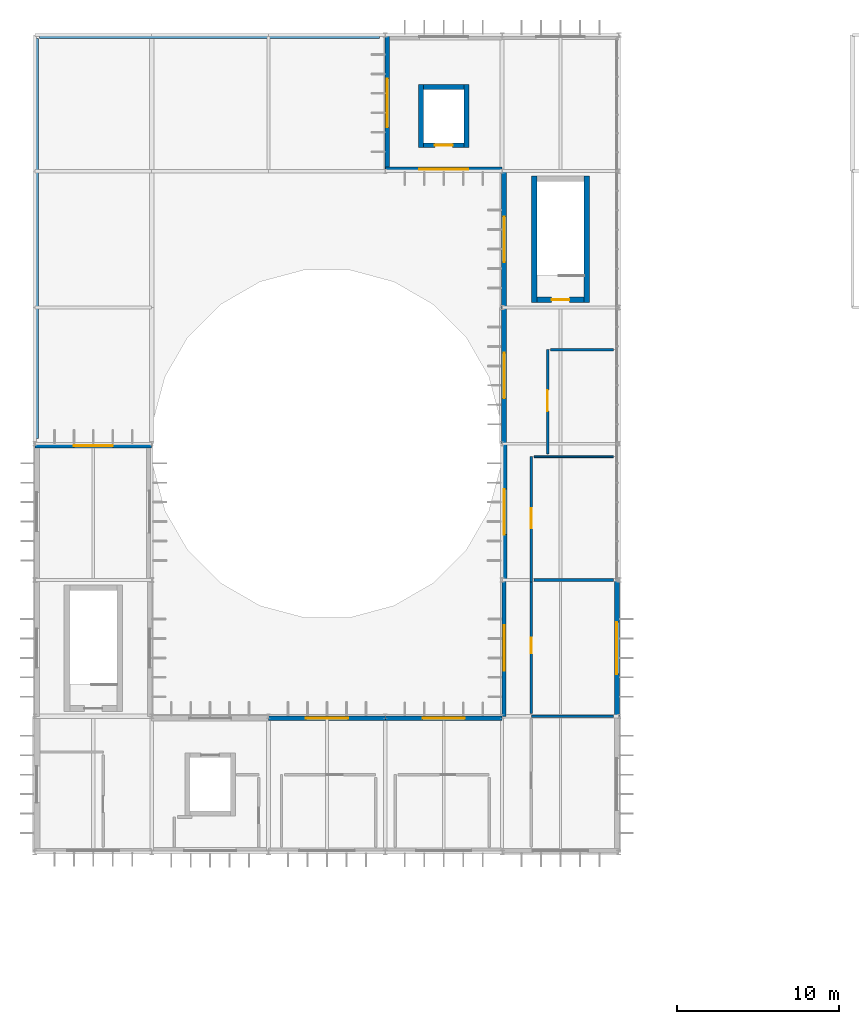
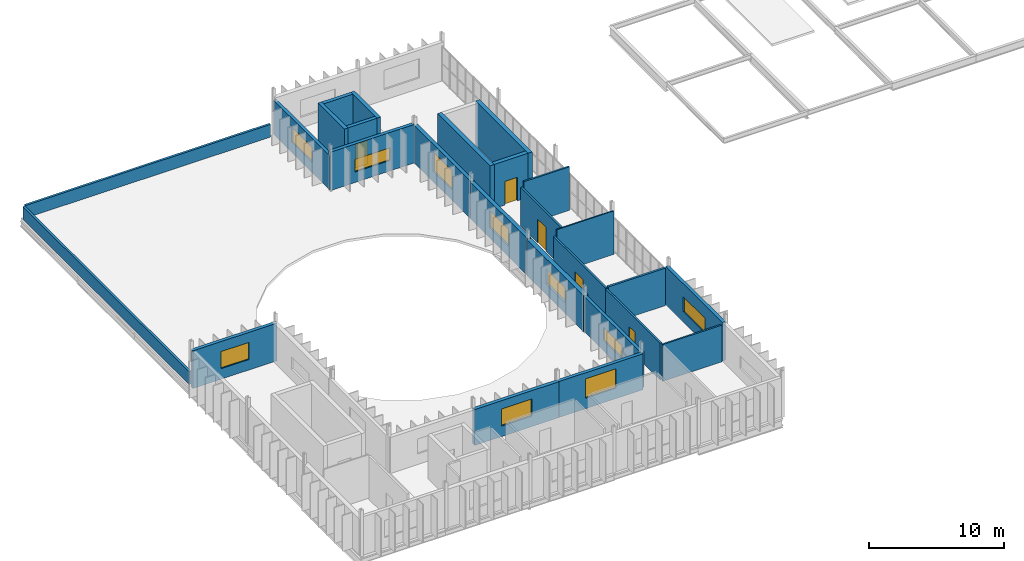
# One storey, part 16 of 18: 26 walls, 10 windows, 5 doors, 15 openings.
"""IFC4 building model written with IfcOpenShell, lengths in metres."""

from ifc_helpers import new_model, si_unit, direction, frame, frame_2d, origin, place, context, subcontext, project, spatial, rectangle, extrude, material, layer, layer_set, type_object, element, fill, save


model = new_model("IFC4")

# Units and contexts
model_context = context("Model", 3, precision=1e-05, world=origin(), true_north=direction((0.0, 1.0)))
body_context = subcontext(model_context, "Body", "Model", "MODEL_VIEW")
ifc_project = project(units=[si_unit("LENGTHUNIT", "METRE"), si_unit("AREAUNIT", "SQUARE_METRE"), si_unit("VOLUMEUNIT", "CUBIC_METRE"), si_unit("PLANEANGLEUNIT", "RADIAN"), si_unit("MASSUNIT", "GRAM", prefix="KILO")], contexts=[model_context])

# Site, building, storey
site_placement = place(None, origin())
site = spatial("IfcSite", under=ifc_project, at=site_placement, CompositionType="ELEMENT")
building_placement = place(site_placement, origin())
building = spatial("IfcBuilding", under=site, at=building_placement, Name="Qelthora Terrace Specialist Clinic", CompositionType="ELEMENT")
storey_placement = place(building_placement, frame((0.0, 0.0, 21.60009765625)))
storey = spatial("IfcBuildingStorey", under=building, at=storey_placement, Name="L05", CompositionType="ELEMENT", Elevation=21.60009765625)

# Walls
ifc_material_1 = material(Name="Concrete C40/50", Category="concrete")
ifc_layer_1 = layer(ifc_material_1, 0.300048828125)
ifc_layer_set_1 = layer_set([ifc_layer_1], Name="Concrete C40/50")
wall_type_1 = type_object("IfcWallType", Name="WAL-CORE-300-C40", PredefinedType="SHEAR", material=ifc_layer_set_1)
for number, where, z_axis, x_axis, name in (
    (1, (31.0, 102.25, 0.0), (0.0, 0.0, 1.0), (0.0, 1.0, 0.0), "Lift SL-02 L05 west shaft wall"),
    (2, (33.800048828125, 102.25, 0.0), (0.0, 0.0, 1.0), (0.0, 1.0, 0.0), "Lift SL-02 L05 east shaft wall"),
):
    element("IfcWall", number, at=place(storey_placement, frame(where, z_axis=z_axis, x_axis=x_axis)), inside=storey, type_object=wall_type_1, Name=name, PredefinedType="SHEAR", context=body_context, shape_type="SweptSolid", body=[
        extrude(rectangle(XDim=3.89990234375, YDim=0.300048828125, at=frame_2d((1.949951171875, 0.0))), origin(), (0.0, 0.0, 1.0), 3.96484375),
    ])
wall_1_placement = place(storey_placement, frame((31.14990234375, 106.0, 0.0), z_axis=(0.0, 0.0, 1.0), x_axis=(1.0, 0.0, 0.0)))
element("IfcWall", 3, at=wall_1_placement, inside=storey, type_object=wall_type_1, Name="Lift SL-02 L05 north shaft wall", PredefinedType="SHEAR", context=body_context, shape_type="SweptSolid", body=[
    extrude(rectangle(XDim=2.5, YDim=0.300048828125, at=frame_2d((1.25, 0.0))), origin(), (0.0, 0.0, 1.0), 3.96484375),
])

# Wall, opening, door
wall_2_placement = place(storey_placement, frame((31.14990234375, 102.39990234375, 0.0), z_axis=(0.0, 0.0, 1.0), x_axis=(1.0, 0.0, 0.0)))
wall_2 = element("IfcWall", 4, at=wall_2_placement, inside=storey, type_object=wall_type_1, Name="Lift SL-02 L05 south shaft wall", PredefinedType="SHEAR", context=body_context, shape_type="SweptSolid", body=[
    extrude(rectangle(XDim=2.5, YDim=0.300048828125, at=frame_2d((1.25, 0.0))), origin(), (0.0, 0.0, 1.0), 3.96484375),
])
opening_1_placement = place(wall_2_placement, frame((0.699951171875, 0.0, 0.0)))
opening_1 = element("IfcOpeningElement", 5, at=opening_1_placement, cuts=wall_2, Name="Opening LD-SL-02-L05", PredefinedType="OPENING", context=body_context, shape_type="SweptSolid", body=[
    extrude(rectangle(XDim=1.10009765625, YDim=2.14990234375, at=frame_2d((0.550048828125, 1.074951171875))), frame((0.0, 0.159912109375, 0.0), z_axis=(0.0, -1.0, 0.0), x_axis=(1.0, 0.0, 0.0)), (0.0, 0.0, 1.0), 0.320068359375),
])
ifc_material_2 = material(Name="Steel S355", Category="steel")
door_type_1 = type_object("IfcDoorType", Name="DOR-LIFT-1100X2150", OperationType="NOTDEFINED", PredefinedType="DOOR", material=ifc_material_2)
door_1_placement = place(opening_1_placement, origin())
door_1 = element("IfcDoor", 6, at=door_1_placement, inside=storey, type_object=door_type_1, Name="Lift landing sliding door LD-SL-02-L05", OperationType="DOUBLE_DOOR_SLIDING", OverallHeight=2.14990234375, OverallWidth=1.10009765625, PredefinedType="DOOR", context=body_context, shape_type="SweptSolid", body=[
    extrude(rectangle(XDim=1.10009765625, YDim=2.14990234375, at=frame_2d((0.550048828125, 1.074951171875))), frame((0.0, 0.02490234375, 0.0), z_axis=(0.0, -1.0, 0.0), x_axis=(1.0, 0.0, 0.0)), (0.0, 0.0, 1.0), 0.050048828125),
])
fill(opening_1, door_1)

# Walls
ifc_layer_2 = layer(ifc_material_1, 0.35009765625)
ifc_layer_set_2 = layer_set([ifc_layer_2], Name="Concrete C40/50")
wall_type_2 = type_object("IfcWallType", Name="WAL-CORE-350-C40", PredefinedType="SHEAR", material=ifc_layer_set_2)
for number, where, z_axis, x_axis, name in (
    (7, (37.97509765625, 92.699951171875, 0.0), (0.0, 0.0, 1.0), (0.0, 1.0, 0.0), "ST-02 L05 west shear core wall"),
    (8, (41.22509765625, 92.699951171875, 0.0), (0.0, 0.0, 1.0), (0.0, 1.0, 0.0), "ST-02 L05 east shear core wall"),
):
    element("IfcWall", number, at=place(storey_placement, frame(where, z_axis=z_axis, x_axis=x_axis)), inside=storey, type_object=wall_type_2, Name=name, PredefinedType="SHEAR", context=body_context, shape_type="SweptSolid", body=[
        extrude(rectangle(XDim=7.800048828125, YDim=0.35009765625, at=frame_2d((3.89990234375, 0.0))), origin(), (0.0, 0.0, 1.0), 4.0),
    ])

# Wall, opening, door
wall_3_placement = place(storey_placement, frame((38.14990234375, 92.875, 0.0), z_axis=(0.0, 0.0, 1.0), x_axis=(1.0, 0.0, 0.0)))
wall_3 = element("IfcWall", 9, at=wall_3_placement, inside=storey, type_object=wall_type_2, Name="ST-02 L05 south shear core wall", PredefinedType="SHEAR", context=body_context, shape_type="SweptSolid", body=[
    extrude(rectangle(XDim=2.900146484375, YDim=0.35009765625, at=frame_2d((1.4501953125, 0.0))), origin(), (0.0, 0.0, 1.0), 4.0),
])
opening_2_placement = place(wall_3_placement, frame((0.89990234375, 0.0, 0.0)))
opening_2 = element("IfcOpeningElement", 10, at=opening_2_placement, cuts=wall_3, Name="Opening D-ST-02-L05", PredefinedType="OPENING", context=body_context, shape_type="SweptSolid", body=[
    extrude(rectangle(XDim=1.10009765625, YDim=2.14990234375, at=frame_2d((0.550048828125, 1.074951171875))), frame((0.0, 0.18505859375, 0.0), z_axis=(0.0, -1.0, 0.0), x_axis=(1.0, 0.0, 0.0)), (0.0, 0.0, 1.0), 0.3701171875),
])
door_type_2 = type_object("IfcDoorType", Name="DOR-STAIR-1100X2150", OperationType="NOTDEFINED", PredefinedType="DOOR", material=ifc_material_2)
door_2_placement = place(opening_2_placement, origin())
door_2 = element("IfcDoor", 11, at=door_2_placement, inside=storey, type_object=door_type_2, Name="Stair fire door D-ST-02-L05", OperationType="SINGLE_SWING_LEFT", OverallHeight=2.14990234375, OverallWidth=1.10009765625, PredefinedType="DOOR", context=body_context, shape_type="SweptSolid", body=[
    extrude(rectangle(XDim=1.10009765625, YDim=2.14990234375, at=frame_2d((0.550048828125, 1.074951171875))), frame((0.0, 0.02490234375, 0.0), z_axis=(0.0, -1.0, 0.0), x_axis=(1.0, 0.0, 0.0)), (0.0, 0.0, 1.0), 0.050048828125),
])
fill(opening_2, door_2)

# Wall, opening, window
ifc_material_3 = material(Name="Precast concrete C40/50", Category="concrete")
ifc_layer_3 = layer(ifc_material_3, 0.260009765625)
ifc_layer_set_3 = layer_set([ifc_layer_3], Name="Precast concrete C40/50")
wall_type_3 = type_object("IfcWallType", Name="WAL-EXT-260-PC40", PredefinedType="SOLIDWALL", material=ifc_layer_set_3)
wall_4_placement = place(storey_placement, frame((36.1201171875, 67.199951171875, 0.0), z_axis=(0.0, 0.0, 1.0), x_axis=(0.0, 1.0, 0.0)))
wall_4 = element("IfcWall", 12, at=wall_4_placement, inside=storey, type_object=wall_type_3, Name="L05 external precast wall 409", PredefinedType="SOLIDWALL", context=body_context, shape_type="SweptSolid", body=[
    extrude(rectangle(XDim=8.400146484375, YDim=0.260009765625, at=frame_2d((4.2001953125, 0.0))), origin(), (0.0, 0.0, 1.0), 3.171875),
])
opening_3_placement = place(wall_4_placement, frame((2.800048828125, 0.0, 0.949951171875)))
opening_3 = element("IfcOpeningElement", 13, at=opening_3_placement, cuts=wall_4, Name="Opening WN-L05-365", PredefinedType="OPENING", context=body_context, shape_type="SweptSolid", body=[
    extrude(rectangle(XDim=2.800048828125, YDim=1.14990234375, at=frame_2d((1.39990234375, 0.574951171875))), frame((0.0, 0.139892578125, 0.0), z_axis=(0.0, -1.0, 0.0), x_axis=(1.0, 0.0, 0.0)), (0.0, 0.0, 1.0), 0.280029296875),
])
ifc_material_4 = material(Name="Low-E triple-silver insulating glass", Category="glass")
window_type_1 = type_object("IfcWindowType", Name="WIN-2800X1150", PartitioningType="DOUBLE_PANEL_VERTICAL", PredefinedType="WINDOW", material=ifc_material_4)
window_1_placement = place(opening_3_placement, origin())
window_1 = element("IfcWindow", 14, at=window_1_placement, inside=storey, type_object=window_type_1, Name="Clinical window WN-L05-365", OverallHeight=1.14990234375, OverallWidth=2.800048828125, PartitioningType="SINGLE_PANEL", PredefinedType="WINDOW", context=body_context, shape_type="SweptSolid", body=[
    extrude(rectangle(XDim=2.800048828125, YDim=1.14990234375, at=frame_2d((1.39990234375, 0.574951171875))), frame((0.0, 0.030029296875, 0.0), z_axis=(0.0, -1.0, 0.0), x_axis=(1.0, 0.0, 0.0)), (0.0, 0.0, 1.0), 0.06005859375),
])
fill(opening_3, window_1)

wall_5_placement = place(storey_placement, frame((28.919921875, 100.800048828125, 0.0), z_axis=(0.0, 0.0, 1.0), x_axis=(0.0, 1.0, 0.0)))
wall_5 = element("IfcWall", 15, at=wall_5_placement, inside=storey, type_object=wall_type_3, Name="L05 external precast wall 414", PredefinedType="SOLIDWALL", context=body_context, shape_type="SweptSolid", body=[
    extrude(rectangle(XDim=8.39990234375, YDim=0.260009765625, at=frame_2d((4.199951171875, 0.0))), origin(), (0.0, 0.0, 1.0), 3.0908203125),
])
opening_4_placement = place(wall_5_placement, frame((2.699951171875, 0.0, 0.949951171875)))
opening_4 = element("IfcOpeningElement", 16, at=opening_4_placement, cuts=wall_5, Name="Opening WN-L05-370", PredefinedType="OPENING", context=body_context, shape_type="SweptSolid", body=[
    extrude(rectangle(XDim=3.0, YDim=1.35009765625, at=frame_2d((1.5, 0.675048828125))), frame((0.0, 0.139892578125, 0.0), z_axis=(0.0, -1.0, 0.0), x_axis=(1.0, 0.0, 0.0)), (0.0, 0.0, 1.0), 0.280029296875),
])
window_type_2 = type_object("IfcWindowType", Name="WIN-3000X1350", PartitioningType="DOUBLE_PANEL_VERTICAL", PredefinedType="WINDOW", material=ifc_material_4)
window_2_placement = place(opening_4_placement, origin())
window_2 = element("IfcWindow", 17, at=window_2_placement, inside=storey, type_object=window_type_2, Name="Clinical window WN-L05-370", OverallHeight=1.35009765625, OverallWidth=3.0, PartitioningType="SINGLE_PANEL", PredefinedType="WINDOW", context=body_context, shape_type="SweptSolid", body=[
    extrude(rectangle(XDim=3.0, YDim=1.35009765625, at=frame_2d((1.5, 0.675048828125))), frame((0.0, 0.030029296875, 0.0), z_axis=(0.0, -1.0, 0.0), x_axis=(1.0, 0.0, 0.0)), (0.0, 0.0, 1.0), 0.06005859375),
])
fill(opening_4, window_2)

ifc_layer_4 = layer(ifc_material_3, 0.280029296875)
ifc_layer_set_4 = layer_set([ifc_layer_4], Name="Precast concrete C40/50")
wall_type_4 = type_object("IfcWallType", Name="WAL-EXT-280-PC40", PredefinedType="SOLIDWALL", material=ifc_layer_set_4)
wall_6_placement = place(storey_placement, frame((7.199951171875, 83.8798828125, 0.0), z_axis=(0.0, 0.0, 1.0), x_axis=(1.0, 0.0, 0.0)))
wall_6 = element("IfcWall", 18, at=wall_6_placement, inside=storey, type_object=wall_type_4, Name="L05 external precast wall 403", PredefinedType="SOLIDWALL", context=body_context, shape_type="SweptSolid", body=[
    extrude(rectangle(XDim=7.199951171875, YDim=0.280029296875, at=frame_2d((3.60009765625, 0.0))), origin(), (0.0, 0.0, 1.0), 3.40478515625),
])
opening_5_placement = place(wall_6_placement, frame((2.39990234375, 0.0, 0.949951171875)))
opening_5 = element("IfcOpeningElement", 19, at=opening_5_placement, cuts=wall_6, Name="Opening WN-L05-359", PredefinedType="OPENING", context=body_context, shape_type="SweptSolid", body=[
    extrude(rectangle(XDim=2.39990234375, YDim=1.550048828125, at=frame_2d((1.199951171875, 0.77490234375))), frame((0.0, 0.14990234375, 0.0), z_axis=(0.0, -1.0, 0.0), x_axis=(1.0, 0.0, 0.0)), (0.0, 0.0, 1.0), 0.300048828125),
])
window_type_3 = type_object("IfcWindowType", Name="WIN-2400X1550", PartitioningType="DOUBLE_PANEL_VERTICAL", PredefinedType="WINDOW", material=ifc_material_4)
window_3_placement = place(opening_5_placement, origin())
window_3 = element("IfcWindow", 20, at=window_3_placement, inside=storey, type_object=window_type_3, Name="Clinical window WN-L05-359", OverallHeight=1.550048828125, OverallWidth=2.39990234375, PartitioningType="SINGLE_PANEL", PredefinedType="WINDOW", context=body_context, shape_type="SweptSolid", body=[
    extrude(rectangle(XDim=2.39990234375, YDim=1.550048828125, at=frame_2d((1.199951171875, 0.77490234375))), frame((0.0, 0.030029296875, 0.0), z_axis=(0.0, -1.0, 0.0), x_axis=(1.0, 0.0, 0.0)), (0.0, 0.0, 1.0), 0.06005859375),
])
fill(opening_5, window_3)

wall_7_placement = place(storey_placement, frame((28.800048828125, 67.080078125, 0.0), z_axis=(0.0, 0.0, 1.0), x_axis=(1.0, 0.0, 0.0)))
wall_7 = element("IfcWall", 21, at=wall_7_placement, inside=storey, type_object=wall_type_4, Name="L05 external precast wall 408", PredefinedType="SOLIDWALL", context=body_context, shape_type="SweptSolid", body=[
    extrude(rectangle(XDim=7.199951171875, YDim=0.280029296875, at=frame_2d((3.60009765625, 0.0))), origin(), (0.0, 0.0, 1.0), 3.2490234375),
])
opening_6_placement = place(wall_7_placement, frame((2.300048828125, 0.0, 0.949951171875)))
opening_6 = element("IfcOpeningElement", 22, at=opening_6_placement, cuts=wall_7, Name="Opening WN-L05-364", PredefinedType="OPENING", context=body_context, shape_type="SweptSolid", body=[
    extrude(rectangle(XDim=2.60009765625, YDim=1.75, at=frame_2d((1.300048828125, 0.875))), frame((0.0, 0.14990234375, 0.0), z_axis=(0.0, -1.0, 0.0), x_axis=(1.0, 0.0, 0.0)), (0.0, 0.0, 1.0), 0.300048828125),
])
window_type_4 = type_object("IfcWindowType", Name="WIN-2600X1750", PartitioningType="DOUBLE_PANEL_VERTICAL", PredefinedType="WINDOW", material=ifc_material_4)
window_4_placement = place(opening_6_placement, origin())
window_4 = element("IfcWindow", 23, at=window_4_placement, inside=storey, type_object=window_type_4, Name="Clinical window WN-L05-364", OverallHeight=1.75, OverallWidth=2.60009765625, PartitioningType="SINGLE_PANEL", PredefinedType="WINDOW", context=body_context, shape_type="SweptSolid", body=[
    extrude(rectangle(XDim=2.60009765625, YDim=1.75, at=frame_2d((1.300048828125, 0.875))), frame((0.0, 0.030029296875, 0.0), z_axis=(0.0, -1.0, 0.0), x_axis=(1.0, 0.0, 0.0)), (0.0, 0.0, 1.0), 0.06005859375),
])
fill(opening_6, window_4)

wall_8_placement = place(storey_placement, frame((28.800048828125, 100.919921875, 0.0), z_axis=(0.0, 0.0, 1.0), x_axis=(1.0, 0.0, 0.0)))
wall_8 = element("IfcWall", 24, at=wall_8_placement, inside=storey, type_object=wall_type_4, Name="L05 external precast wall 413", PredefinedType="SOLIDWALL", context=body_context, shape_type="SweptSolid", body=[
    extrude(rectangle(XDim=7.199951171875, YDim=0.280029296875, at=frame_2d((3.60009765625, 0.0))), origin(), (0.0, 0.0, 1.0), 3.48193359375),
])
opening_7_placement = place(wall_8_placement, frame((2.10009765625, 0.0, 0.949951171875)))
opening_7 = element("IfcOpeningElement", 25, at=opening_7_placement, cuts=wall_8, Name="Opening WN-L05-369", PredefinedType="OPENING", context=body_context, shape_type="SweptSolid", body=[
    extrude(rectangle(XDim=3.0, YDim=1.14990234375, at=frame_2d((1.5, 0.574951171875))), frame((0.0, 0.14990234375, 0.0), z_axis=(0.0, -1.0, 0.0), x_axis=(1.0, 0.0, 0.0)), (0.0, 0.0, 1.0), 0.300048828125),
])
window_type_5 = type_object("IfcWindowType", Name="WIN-3000X1150", PartitioningType="DOUBLE_PANEL_VERTICAL", PredefinedType="WINDOW", material=ifc_material_4)
window_5_placement = place(opening_7_placement, origin())
window_5 = element("IfcWindow", 26, at=window_5_placement, inside=storey, type_object=window_type_5, Name="Clinical window WN-L05-369", OverallHeight=1.14990234375, OverallWidth=3.0, PartitioningType="SINGLE_PANEL", PredefinedType="WINDOW", context=body_context, shape_type="SweptSolid", body=[
    extrude(rectangle(XDim=3.0, YDim=1.14990234375, at=frame_2d((1.5, 0.574951171875))), frame((0.0, 0.030029296875, 0.0), z_axis=(0.0, -1.0, 0.0), x_axis=(1.0, 0.0, 0.0)), (0.0, 0.0, 1.0), 0.06005859375),
])
fill(opening_7, window_5)

wall_9_placement = place(storey_placement, frame((43.080078125, 67.199951171875, 0.0), z_axis=(0.0, 0.0, 1.0), x_axis=(0.0, 1.0, 0.0)))
wall_9 = element("IfcWall", 27, at=wall_9_placement, inside=storey, type_object=wall_type_4, Name="L05 external precast wall 418", PredefinedType="SOLIDWALL", context=body_context, shape_type="SweptSolid", body=[
    extrude(rectangle(XDim=8.400146484375, YDim=0.280029296875, at=frame_2d((4.2001953125, 0.0))), origin(), (0.0, 0.0, 1.0), 3.48193359375),
])
opening_8_placement = place(wall_9_placement, frame((2.60009765625, 0.0, 0.949951171875)))
opening_8 = element("IfcOpeningElement", 28, at=opening_8_placement, cuts=wall_9, Name="Opening WN-L05-374", PredefinedType="OPENING", context=body_context, shape_type="SweptSolid", body=[
    extrude(rectangle(XDim=3.199951171875, YDim=1.35009765625, at=frame_2d((1.60009765625, 0.675048828125))), frame((0.0, 0.14990234375, 0.0), z_axis=(0.0, -1.0, 0.0), x_axis=(1.0, 0.0, 0.0)), (0.0, 0.0, 1.0), 0.300048828125),
])
window_type_6 = type_object("IfcWindowType", Name="WIN-3200X1350", PartitioningType="DOUBLE_PANEL_VERTICAL", PredefinedType="WINDOW", material=ifc_material_4)
window_6_placement = place(opening_8_placement, origin())
window_6 = element("IfcWindow", 29, at=window_6_placement, inside=storey, type_object=window_type_6, Name="Clinical window WN-L05-374", OverallHeight=1.35009765625, OverallWidth=3.199951171875, PartitioningType="SINGLE_PANEL", PredefinedType="WINDOW", context=body_context, shape_type="SweptSolid", body=[
    extrude(rectangle(XDim=3.199951171875, YDim=1.35009765625, at=frame_2d((1.60009765625, 0.675048828125))), frame((0.0, 0.030029296875, 0.0), z_axis=(0.0, -1.0, 0.0), x_axis=(1.0, 0.0, 0.0)), (0.0, 0.0, 1.0), 0.06005859375),
])
fill(opening_8, window_6)

ifc_layer_5 = layer(ifc_material_3, 0.300048828125)
ifc_layer_set_5 = layer_set([ifc_layer_5], Name="Precast concrete C40/50")
wall_type_5 = type_object("IfcWallType", Name="WAL-EXT-300-PC40", PredefinedType="SOLIDWALL", material=ifc_layer_set_5)
wall_10_placement = place(storey_placement, frame((21.60009765625, 67.080078125, 0.0), z_axis=(0.0, 0.0, 1.0), x_axis=(1.0, 0.0, 0.0)))
wall_10 = element("IfcWall", 30, at=wall_10_placement, inside=storey, type_object=wall_type_5, Name="L05 external precast wall 407", PredefinedType="SOLIDWALL", context=body_context, shape_type="SweptSolid", body=[
    extrude(rectangle(XDim=7.199951171875, YDim=0.300048828125, at=frame_2d((3.60009765625, 0.0))), origin(), (0.0, 0.0, 1.0), 3.2490234375),
])
opening_9_placement = place(wall_10_placement, frame((2.300048828125, 0.0, 0.949951171875)))
opening_9 = element("IfcOpeningElement", 31, at=opening_9_placement, cuts=wall_10, Name="Opening WN-L05-363", PredefinedType="OPENING", context=body_context, shape_type="SweptSolid", body=[
    extrude(rectangle(XDim=2.60009765625, YDim=1.550048828125, at=frame_2d((1.300048828125, 0.77490234375))), frame((0.0, 0.159912109375, 0.0), z_axis=(0.0, -1.0, 0.0), x_axis=(1.0, 0.0, 0.0)), (0.0, 0.0, 1.0), 0.320068359375),
])
window_type_7 = type_object("IfcWindowType", Name="WIN-2600X1550", PartitioningType="DOUBLE_PANEL_VERTICAL", PredefinedType="WINDOW", material=ifc_material_4)
window_7_placement = place(opening_9_placement, origin())
window_7 = element("IfcWindow", 32, at=window_7_placement, inside=storey, type_object=window_type_7, Name="Clinical window WN-L05-363", OverallHeight=1.550048828125, OverallWidth=2.60009765625, PartitioningType="SINGLE_PANEL", PredefinedType="WINDOW", context=body_context, shape_type="SweptSolid", body=[
    extrude(rectangle(XDim=2.60009765625, YDim=1.550048828125, at=frame_2d((1.300048828125, 0.77490234375))), frame((0.0, 0.030029296875, 0.0), z_axis=(0.0, -1.0, 0.0), x_axis=(1.0, 0.0, 0.0)), (0.0, 0.0, 1.0), 0.06005859375),
])
fill(opening_9, window_7)

wall_11_placement = place(storey_placement, frame((36.1201171875, 92.39990234375, 0.0), z_axis=(0.0, 0.0, 1.0), x_axis=(0.0, 1.0, 0.0)))
wall_11 = element("IfcWall", 33, at=wall_11_placement, inside=storey, type_object=wall_type_5, Name="L05 external precast wall 412", PredefinedType="SOLIDWALL", context=body_context, shape_type="SweptSolid", body=[
    extrude(rectangle(XDim=8.400146484375, YDim=0.300048828125, at=frame_2d((4.2001953125, 0.0))), origin(), (0.0, 0.0, 1.0), 3.39794921875),
])
opening_10_placement = place(wall_11_placement, frame((2.800048828125, 0.0, 0.949951171875)))
opening_10 = element("IfcOpeningElement", 34, at=opening_10_placement, cuts=wall_11, Name="Opening WN-L05-368", PredefinedType="OPENING", context=body_context, shape_type="SweptSolid", body=[
    extrude(rectangle(XDim=2.800048828125, YDim=1.75, at=frame_2d((1.39990234375, 0.875))), frame((0.0, 0.159912109375, 0.0), z_axis=(0.0, -1.0, 0.0), x_axis=(1.0, 0.0, 0.0)), (0.0, 0.0, 1.0), 0.320068359375),
])
window_type_8 = type_object("IfcWindowType", Name="WIN-2800X1750", PartitioningType="DOUBLE_PANEL_VERTICAL", PredefinedType="WINDOW", material=ifc_material_4)
window_8_placement = place(opening_10_placement, origin())
window_8 = element("IfcWindow", 35, at=window_8_placement, inside=storey, type_object=window_type_8, Name="Clinical window WN-L05-368", OverallHeight=1.75, OverallWidth=2.800048828125, PartitioningType="SINGLE_PANEL", PredefinedType="WINDOW", context=body_context, shape_type="SweptSolid", body=[
    extrude(rectangle(XDim=2.800048828125, YDim=1.75, at=frame_2d((1.39990234375, 0.875))), frame((0.0, 0.030029296875, 0.0), z_axis=(0.0, -1.0, 0.0), x_axis=(1.0, 0.0, 0.0)), (0.0, 0.0, 1.0), 0.06005859375),
])
fill(opening_10, window_8)

ifc_layer_6 = layer(ifc_material_3, 0.320068359375)
ifc_layer_set_6 = layer_set([ifc_layer_6], Name="Precast concrete C40/50")
wall_type_6 = type_object("IfcWallType", Name="WAL-EXT-320-PC40", PredefinedType="SOLIDWALL", material=ifc_layer_set_6)
wall_12_placement = place(storey_placement, frame((36.1201171875, 84.0, 0.0), z_axis=(0.0, 0.0, 1.0), x_axis=(0.0, 1.0, 0.0)))
wall_12 = element("IfcWall", 36, at=wall_12_placement, inside=storey, type_object=wall_type_6, Name="L05 external precast wall 411", PredefinedType="SOLIDWALL", context=body_context, shape_type="SweptSolid", body=[
    extrude(rectangle(XDim=8.39990234375, YDim=0.320068359375, at=frame_2d((4.199951171875, 0.0))), origin(), (0.0, 0.0, 1.0), 3.324951171875),
])
opening_11_placement = place(wall_12_placement, frame((2.800048828125, 0.0, 0.949951171875)))
opening_11 = element("IfcOpeningElement", 37, at=opening_11_placement, cuts=wall_12, Name="Opening WN-L05-367", PredefinedType="OPENING", context=body_context, shape_type="SweptSolid", body=[
    extrude(rectangle(XDim=2.800048828125, YDim=1.550048828125, at=frame_2d((1.39990234375, 0.77490234375))), frame((0.0, 0.169921875, 0.0), z_axis=(0.0, -1.0, 0.0), x_axis=(1.0, 0.0, 0.0)), (0.0, 0.0, 1.0), 0.340087890625),
])
window_type_9 = type_object("IfcWindowType", Name="WIN-2800X1550", PartitioningType="DOUBLE_PANEL_VERTICAL", PredefinedType="WINDOW", material=ifc_material_4)
window_9_placement = place(opening_11_placement, origin())
window_9 = element("IfcWindow", 38, at=window_9_placement, inside=storey, type_object=window_type_9, Name="Clinical window WN-L05-367", OverallHeight=1.550048828125, OverallWidth=2.800048828125, PartitioningType="SINGLE_PANEL", PredefinedType="WINDOW", context=body_context, shape_type="SweptSolid", body=[
    extrude(rectangle(XDim=2.800048828125, YDim=1.550048828125, at=frame_2d((1.39990234375, 0.77490234375))), frame((0.0, 0.030029296875, 0.0), z_axis=(0.0, -1.0, 0.0), x_axis=(1.0, 0.0, 0.0)), (0.0, 0.0, 1.0), 0.06005859375),
])
fill(opening_11, window_9)

ifc_layer_7 = layer(ifc_material_3, 0.3798828125)
ifc_layer_set_7 = layer_set([ifc_layer_7], Name="Precast concrete C40/50")
wall_type_7 = type_object("IfcWallType", Name="WAL-EXT-380-PC40", PredefinedType="SOLIDWALL", material=ifc_layer_set_7)
wall_13_placement = place(storey_placement, frame((36.1201171875, 75.60009765625, 0.0), z_axis=(0.0, 0.0, 1.0), x_axis=(0.0, 1.0, 0.0)))
wall_13 = element("IfcWall", 39, at=wall_13_placement, inside=storey, type_object=wall_type_7, Name="L05 external precast wall 410", PredefinedType="SOLIDWALL", context=body_context, shape_type="SweptSolid", body=[
    extrude(rectangle(XDim=8.39990234375, YDim=0.3798828125, at=frame_2d((4.199951171875, 0.0))), origin(), (0.0, 0.0, 1.0), 3.2490234375),
])
opening_12_placement = place(wall_13_placement, frame((2.800048828125, 0.0, 0.949951171875)))
opening_12 = element("IfcOpeningElement", 40, at=opening_12_placement, cuts=wall_13, Name="Opening WN-L05-366", PredefinedType="OPENING", context=body_context, shape_type="SweptSolid", body=[
    extrude(rectangle(XDim=2.800048828125, YDim=1.35009765625, at=frame_2d((1.39990234375, 0.675048828125))), frame((0.0, 0.199951171875, 0.0), z_axis=(0.0, -1.0, 0.0), x_axis=(1.0, 0.0, 0.0)), (0.0, 0.0, 1.0), 0.39990234375),
])
window_type_10 = type_object("IfcWindowType", Name="WIN-2800X1350", PartitioningType="DOUBLE_PANEL_VERTICAL", PredefinedType="WINDOW", material=ifc_material_4)
window_10_placement = place(opening_12_placement, origin())
window_10 = element("IfcWindow", 41, at=window_10_placement, inside=storey, type_object=window_type_10, Name="Clinical window WN-L05-366", OverallHeight=1.35009765625, OverallWidth=2.800048828125, PartitioningType="SINGLE_PANEL", PredefinedType="WINDOW", context=body_context, shape_type="SweptSolid", body=[
    extrude(rectangle(XDim=2.800048828125, YDim=1.35009765625, at=frame_2d((1.39990234375, 0.675048828125))), frame((0.0, 0.030029296875, 0.0), z_axis=(0.0, -1.0, 0.0), x_axis=(1.0, 0.0, 0.0)), (0.0, 0.0, 1.0), 0.06005859375),
])
fill(opening_12, window_10)

# Walls
ifc_material_5 = material(Name="Gypsum acoustic wallboard", Category="gypsum")
ifc_layer_8 = layer(ifc_material_5, 0.139892578125)
ifc_layer_set_8 = layer_set([ifc_layer_8], Name="Gypsum acoustic wallboard")
wall_type_8 = type_object("IfcWallType", Name="WAL-INT-ACU-140", PredefinedType="PARTITIONING", material=ifc_layer_set_8)
wall_14_placement = place(storey_placement, frame((37.800048828125, 67.199951171875, 0.0), z_axis=(0.0, 0.0, 1.0), x_axis=(1.0, 0.0, 0.0)))
element("IfcWall", 42, at=wall_14_placement, inside=storey, type_object=wall_type_8, Name="Interior clinical partition IWAL-L05-0405", PredefinedType="PARTITIONING", context=body_context, shape_type="SweptSolid", body=[
    extrude(rectangle(XDim=5.06005859375, YDim=0.139892578125, at=frame_2d((2.530029296875, 0.0))), origin(), (0.0, 0.0, 1.0), 3.327880859375),
])
ifc_material_6 = material(Name="Gypsum fire-rated wallboard", Category="gypsum")
ifc_layer_9 = layer(ifc_material_6, 0.179931640625)
ifc_layer_set_9 = layer_set([ifc_layer_9], Name="Gypsum fire-rated wallboard")
wall_type_9 = type_object("IfcWallType", Name="WAL-INT-CLN-180", PredefinedType="PARTITIONING", material=ifc_layer_set_9)
wall_15_placement = place(storey_placement, frame((37.97998046875, 75.60009765625, 0.0), z_axis=(0.0, 0.0, 1.0), x_axis=(1.0, 0.0, 0.0)))
element("IfcWall", 43, at=wall_15_placement, inside=storey, type_object=wall_type_9, Name="Interior clinical partition IWAL-L05-0408", PredefinedType="PARTITIONING", context=body_context, shape_type="SweptSolid", body=[
    extrude(rectangle(XDim=4.880126953125, YDim=0.179931640625, at=frame_2d((2.43994140625, 0.0))), origin(), (0.0, 0.0, 1.0), 3.40087890625),
])

# Wall, opening, door
ifc_layer_10 = layer(ifc_material_6, 0.159912109375)
ifc_layer_set_10 = layer_set([ifc_layer_10], Name="Gypsum fire-rated wallboard")
wall_type_10 = type_object("IfcWallType", Name="WAL-INT-COR-160", PredefinedType="PARTITIONING", material=ifc_layer_set_10)
wall_16_placement = place(storey_placement, frame((37.800048828125, 67.3798828125, 0.0), z_axis=(0.0, 0.0, 1.0), x_axis=(0.0, 1.0, 0.0)))
wall_16 = element("IfcWall", 44, at=wall_16_placement, inside=storey, type_object=wall_type_10, Name="Interior clinical partition IWAL-L05-0407", PredefinedType="PARTITIONING", context=body_context, shape_type="SweptSolid", body=[
    extrude(rectangle(XDim=8.22021484375, YDim=0.159912109375, at=frame_2d((4.110107421875, 0.0))), origin(), (0.0, 0.0, 1.0), 3.327880859375),
])
opening_13_placement = place(wall_16_placement, frame((3.7099609375, 0.0, 0.0)))
opening_13 = element("IfcOpeningElement", 45, at=opening_13_placement, cuts=wall_16, Name="Opening DI-L05-0163", PredefinedType="OPENING", context=body_context, shape_type="SweptSolid", body=[
    extrude(rectangle(XDim=0.93994140625, YDim=2.050048828125, at=frame_2d((0.469970703125, 1.02490234375))), frame((0.0, 0.08984375, 0.0), z_axis=(0.0, -1.0, 0.0), x_axis=(1.0, 0.0, 0.0)), (0.0, 0.0, 1.0), 0.179931640625),
])
ifc_material_7 = material(Name="Glulam timber GL28h", Category="wood")
door_type_3 = type_object("IfcDoorType", Name="DOR-CON-940X2050", OperationType="NOTDEFINED", PredefinedType="DOOR", material=ifc_material_7)
door_3_placement = place(opening_13_placement, frame((0.93994140625, 0.0, 0.0), z_axis=(0.0, 0.0, 1.0), x_axis=(-1.0, 0.0, 0.0)))
door_3 = element("IfcDoor", 46, at=door_3_placement, inside=storey, type_object=door_type_3, Name="Interior clinical door DI-L05-0163", OperationType="SINGLE_SWING_RIGHT", OverallHeight=2.050048828125, OverallWidth=0.93994140625, PredefinedType="DOOR", context=body_context, shape_type="SweptSolid", body=[
    extrude(rectangle(XDim=0.93994140625, YDim=2.050048828125, at=frame_2d((0.469970703125, 1.02490234375))), frame((0.0, 0.02490234375, 0.0), z_axis=(0.0, -1.0, 0.0), x_axis=(1.0, 0.0, 0.0)), (0.0, 0.0, 1.0), 0.050048828125),
])
fill(opening_13, door_3)

wall_17_placement = place(storey_placement, frame((37.800048828125, 75.465087890625, 0.0), z_axis=(0.0, 0.0, 1.0), x_axis=(0.0, 1.0, 0.0)))
wall_17 = element("IfcWall", 47, at=wall_17_placement, inside=storey, type_object=wall_type_10, Name="Interior clinical partition IWAL-L05-0409", PredefinedType="PARTITIONING", context=body_context, shape_type="SweptSolid", body=[
    extrude(rectangle(XDim=7.73486328125, YDim=0.159912109375, at=frame_2d((3.867431640625, 0.0))), origin(), (0.0, 0.0, 1.0), 3.40087890625),
])
opening_14_placement = place(wall_17_placement, frame((3.3125, 0.0, 0.0)))
opening_14 = element("IfcOpeningElement", 48, at=opening_14_placement, cuts=wall_17, Name="Opening DI-L05-0164", PredefinedType="OPENING", context=body_context, shape_type="SweptSolid", body=[
    extrude(rectangle(XDim=1.25, YDim=2.14990234375, at=frame_2d((0.625, 1.074951171875))), frame((0.0, 0.08984375, 0.0), z_axis=(0.0, -1.0, 0.0), x_axis=(1.0, 0.0, 0.0)), (0.0, 0.0, 1.0), 0.179931640625),
])
door_type_4 = type_object("IfcDoorType", Name="DOR-INF-1250X2150", OperationType="NOTDEFINED", PredefinedType="DOOR", material=ifc_material_7)
door_4_placement = place(opening_14_placement, frame((1.25, 0.0, 0.0), z_axis=(0.0, 0.0, 1.0), x_axis=(-1.0, 0.0, 0.0)))
door_4 = element("IfcDoor", 49, at=door_4_placement, inside=storey, type_object=door_type_4, Name="Interior clinical door DI-L05-0164", OperationType="SINGLE_SWING_LEFT", OverallHeight=2.14990234375, OverallWidth=1.25, PredefinedType="DOOR", context=body_context, shape_type="SweptSolid", body=[
    extrude(rectangle(XDim=1.25, YDim=2.14990234375, at=frame_2d((0.625, 1.074951171875))), frame((0.0, 0.02490234375, 0.0), z_axis=(0.0, -1.0, 0.0), x_axis=(1.0, 0.0, 0.0)), (0.0, 0.0, 1.0), 0.050048828125),
])
fill(opening_14, door_4)

wall_18_placement = place(storey_placement, frame((38.800048828125, 83.3798828125, 0.0), z_axis=(0.0, 0.0, 1.0), x_axis=(0.0, 1.0, 0.0)))
wall_18 = element("IfcWall", 50, at=wall_18_placement, inside=storey, type_object=wall_type_10, Name="Interior clinical partition IWAL-L05-0411", PredefinedType="PARTITIONING", context=body_context, shape_type="SweptSolid", body=[
    extrude(rectangle(XDim=6.420166015625, YDim=0.159912109375, at=frame_2d((3.2099609375, 0.0))), origin(), (0.0, 0.0, 1.0), 3.47900390625),
])
opening_15_placement = place(wall_18_placement, frame((2.6298828125, 0.0, 0.0)))
opening_15 = element("IfcOpeningElement", 51, at=opening_15_placement, cuts=wall_18, Name="Opening DI-L05-0165", PredefinedType="OPENING", context=body_context, shape_type="SweptSolid", body=[
    extrude(rectangle(XDim=1.300048828125, YDim=2.14990234375, at=frame_2d((0.64990234375, 1.074951171875))), frame((0.0, 0.08984375, 0.0), z_axis=(0.0, -1.0, 0.0), x_axis=(1.0, 0.0, 0.0)), (0.0, 0.0, 1.0), 0.179931640625),
])
door_type_5 = type_object("IfcDoorType", Name="DOR-REC-1300X2150", OperationType="NOTDEFINED", PredefinedType="DOOR", material=ifc_material_7)
door_5_placement = place(opening_15_placement, frame((1.300048828125, 0.0, 0.0), z_axis=(0.0, 0.0, 1.0), x_axis=(-1.0, 0.0, 0.0)))
door_5 = element("IfcDoor", 52, at=door_5_placement, inside=storey, type_object=door_type_5, Name="Interior clinical door DI-L05-0165", OperationType="SINGLE_SWING_RIGHT", OverallHeight=2.14990234375, OverallWidth=1.300048828125, PredefinedType="DOOR", context=body_context, shape_type="SweptSolid", body=[
    extrude(rectangle(XDim=1.300048828125, YDim=2.14990234375, at=frame_2d((0.64990234375, 1.074951171875))), frame((0.0, 0.02490234375, 0.0), z_axis=(0.0, -1.0, 0.0), x_axis=(1.0, 0.0, 0.0)), (0.0, 0.0, 1.0), 0.050048828125),
])
fill(opening_15, door_5)

# Walls
ifc_layer_11 = layer(ifc_material_4, 0.110107421875)
ifc_layer_set_11 = layer_set([ifc_layer_11], Name="Low-E triple-silver insulating glass")
wall_type_11 = type_object("IfcWallType", Name="WAL-INT-GLA-110", PredefinedType="MOVABLE", material=ifc_layer_set_11)
wall_19_placement = place(storey_placement, frame((37.97998046875, 83.199951171875, 0.0), z_axis=(0.0, 0.0, 1.0), x_axis=(1.0, 0.0, 0.0)))
element("IfcWall", 53, at=wall_19_placement, inside=storey, type_object=wall_type_11, Name="Interior clinical partition IWAL-L05-0410", PredefinedType="MOVABLE", context=body_context, shape_type="SweptSolid", body=[
    extrude(rectangle(XDim=4.880126953125, YDim=0.110107421875, at=frame_2d((2.43994140625, 0.0))), origin(), (0.0, 0.0, 1.0), 3.94482421875),
])
ifc_material_8 = material(Name="Gypsum moisture-resistant", Category="gypsum")
ifc_layer_12 = layer(ifc_material_8, 0.14990234375)
ifc_layer_set_12 = layer_set([ifc_layer_12], Name="Gypsum moisture-resistant")
wall_type_12 = type_object("IfcWallType", Name="WAL-INT-WET-150", PredefinedType="PLUMBINGWALL", material=ifc_layer_set_12)
wall_20_placement = place(storey_placement, frame((38.97998046875, 89.800048828125, 0.0), z_axis=(0.0, 0.0, 1.0), x_axis=(1.0, 0.0, 0.0)))
element("IfcWall", 54, at=wall_20_placement, inside=storey, type_object=wall_type_12, Name="Interior clinical partition IWAL-L05-0412", PredefinedType="PLUMBINGWALL", context=body_context, shape_type="SweptSolid", body=[
    extrude(rectangle(XDim=3.880126953125, YDim=0.14990234375, at=frame_2d((1.93994140625, 0.0))), origin(), (0.0, 0.0, 1.0), 3.94482421875),
])
ifc_layer_13 = layer(ifc_material_3, 0.18994140625)
ifc_layer_set_13 = layer_set([ifc_layer_13], Name="Precast concrete C40/50")
wall_type_13 = type_object("IfcWallType", Name="WAL-PAR-190-PC40", PredefinedType="PARAPET", material=ifc_layer_set_13)
wall_21_placement = place(storey_placement, frame((7.31005859375, 84.32958984375, 0.0), z_axis=(0.0, 0.0, 1.0), x_axis=(0.0, 1.0, 0.0)))
element("IfcWall", 55, at=wall_21_placement, inside=storey, type_object=wall_type_13, Name="Roof perimeter parapet ROOF-V5-STP5B-1-1", PredefinedType="PARAPET", context=body_context, shape_type="SweptSolid", body=[
    extrude(rectangle(XDim=24.650390625, YDim=0.18994140625, at=frame_2d((12.3251953125, 0.0))), origin(), (0.0, 0.0, 1.0), 1.14990234375),
])
wall_22_placement = place(storey_placement, frame((7.47705078125, 109.090087890625, 0.0), z_axis=(0.0, 0.0, 1.0), x_axis=(1.0, 0.0, 0.0)))
element("IfcWall", 56, at=wall_22_placement, inside=storey, type_object=wall_type_13, Name="Roof perimeter parapet ROOF-V5-STP5B-1-2", PredefinedType="PARAPET", context=body_context, shape_type="SweptSolid", body=[
    extrude(rectangle(XDim=20.953369140625, YDim=0.18994140625, at=frame_2d((10.4765625, 0.0))), origin(), (0.0, 0.0, 1.0), 1.14990234375),
])

save(model, "model.ifc")
